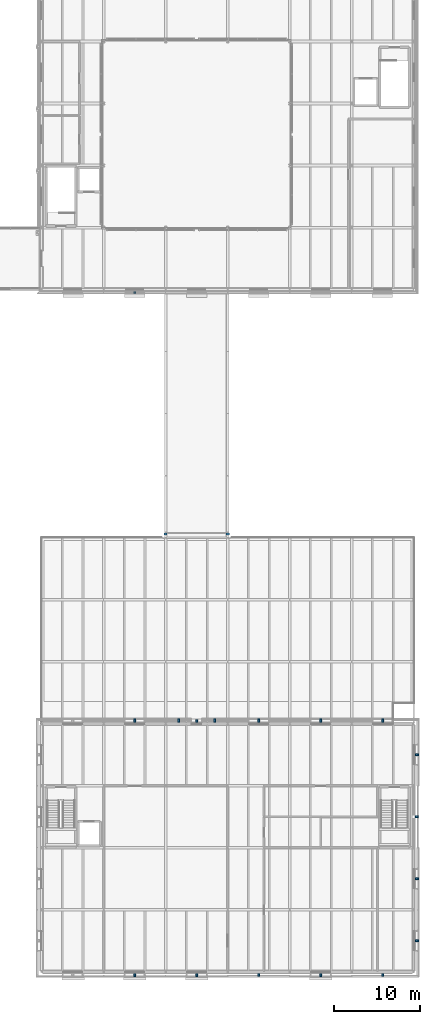
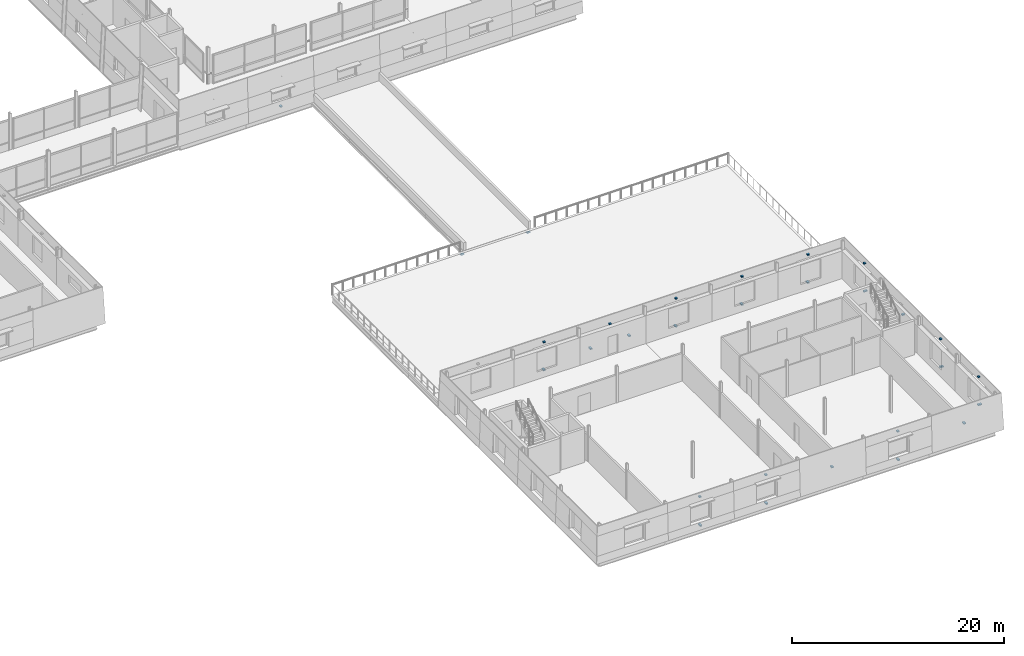
# One storey, part 88 of 115: 29 discrete accessories.
"""IFC4 building model written with IfcOpenShell, lengths in metres."""

from ifc_helpers import new_model, si_unit, direction, frame, origin, origin_2d, place, context, subcontext, project, spatial, rectangle, extrude, material, layer, layer_set, type_object, element, save


model = new_model("IFC4")

# Units and contexts
model_context = context("Model", 3, precision=1e-05, world=origin(), true_north=direction((0.0, 1.0)))
body_context = subcontext(model_context, "Body", "Model", "MODEL_VIEW")
ifc_project = project(units=[si_unit("LENGTHUNIT", "METRE"), si_unit("AREAUNIT", "SQUARE_METRE"), si_unit("VOLUMEUNIT", "CUBIC_METRE"), si_unit("PLANEANGLEUNIT", "RADIAN"), si_unit("MASSUNIT", "GRAM", prefix="KILO")], contexts=[model_context])

# Site, building, storey
site_placement = place(None, origin())
site = spatial("IfcSite", under=ifc_project, at=site_placement, CompositionType="ELEMENT")
building_placement = place(site_placement, origin())
building = spatial("IfcBuilding", under=site, at=building_placement, Name="Narikvali Park Central Library", CompositionType="ELEMENT")
storey_placement = place(building_placement, frame((0.0, 0.0, 10.199951171875)))
storey = spatial("IfcBuildingStorey", under=building, at=storey_placement, Name="L02", CompositionType="ELEMENT", Elevation=10.199951171875)

# Discrete accessories
ifc_material = material(Name="Brushed Stainless Steel S355", Category="steel")
ifc_layer_1 = layer(ifc_material, 0.139892578125, Name="Brushed Stainless Steel S355")
ifc_layer_set_1 = layer_set([ifc_layer_1], Name="Brushed Stainless Steel S355")
discrete_accessory_type_1 = type_object("IfcDiscreteAccessoryType", Name="Cladding Stainless Tie-Back Corbel Bracket", PredefinedType="BRACKET", material=ifc_layer_set_1)
discrete_accessory_1_placement = place(storey_placement, frame((133.199951171875, 78.87841796875, 0.60498046875), z_axis=(0.0, 0.0, 1.0), x_axis=(1.0, 0.0, 0.0)))
element("IfcDiscreteAccessory", 1, at=discrete_accessory_1_placement, inside=storey, type_object=discrete_accessory_type_1, Name="Limestone Cladding Tie-Back Bracket V3-CLD-L02-S-B02-SP", PredefinedType="BRACKET", context=body_context, shape_type="SweptSolid", body=[
    extrude(rectangle(XDim=0.219970703125, YDim=0.26318359375, at=origin_2d()), origin(), (0.0, 0.0, 1.0), 0.139892578125),
])
discrete_accessory_2_placement = place(storey_placement, frame((133.199951171875, -0.387451171875, 0.365234375), z_axis=(0.0, 0.0, 1.0), x_axis=(1.0, 0.0, 0.0)))
element("IfcDiscreteAccessory", 2, at=discrete_accessory_2_placement, inside=storey, type_object=discrete_accessory_type_1, Name="Limestone Cladding Tie-Back Bracket V6-CLD-L02-S-B02-SP", PredefinedType="BRACKET", context=body_context, shape_type="SweptSolid", body=[
    extrude(rectangle(XDim=0.219970703125, YDim=0.394775390625, at=origin_2d()), origin(), (0.0, 0.0, 1.0), 0.139892578125),
])
discrete_accessory_3_placement = place(storey_placement, frame((133.199951171875, -0.3212890625, 3.59033203125), z_axis=(0.0, 0.0, 1.0), x_axis=(1.0, 0.0, 0.0)))
element("IfcDiscreteAccessory", 3, at=discrete_accessory_3_placement, inside=storey, type_object=discrete_accessory_type_1, Name="Limestone Cladding Tie-Back Bracket V6-CLD-L02-S-B02-LN", PredefinedType="BRACKET", context=body_context, shape_type="SweptSolid", body=[
    extrude(rectangle(XDim=0.219970703125, YDim=0.2626953125, at=origin_2d()), origin(), (0.0, 0.0, 1.0), 0.139892578125),
])
discrete_accessory_4_placement = place(storey_placement, frame((140.39990234375, -0.387451171875, 0.365234375), z_axis=(0.0, 0.0, 1.0), x_axis=(1.0, 0.0, 0.0)))
element("IfcDiscreteAccessory", 4, at=discrete_accessory_4_placement, inside=storey, type_object=discrete_accessory_type_1, Name="Limestone Cladding Tie-Back Bracket V6-CLD-L02-S-B03-SP", PredefinedType="BRACKET", context=body_context, shape_type="SweptSolid", body=[
    extrude(rectangle(XDim=0.219970703125, YDim=0.394775390625, at=origin_2d()), origin(), (0.0, 0.0, 1.0), 0.139892578125),
])
discrete_accessory_5_placement = place(storey_placement, frame((140.39990234375, -0.3212890625, 3.59033203125), z_axis=(0.0, 0.0, 1.0), x_axis=(1.0, 0.0, 0.0)))
element("IfcDiscreteAccessory", 5, at=discrete_accessory_5_placement, inside=storey, type_object=discrete_accessory_type_1, Name="Limestone Cladding Tie-Back Bracket V6-CLD-L02-S-B03-LN", PredefinedType="BRACKET", context=body_context, shape_type="SweptSolid", body=[
    extrude(rectangle(XDim=0.219970703125, YDim=0.2626953125, at=origin_2d()), origin(), (0.0, 0.0, 1.0), 0.139892578125),
])
discrete_accessory_6_placement = place(storey_placement, frame((147.60009765625, -0.353271484375, 2.0302734375), z_axis=(0.0, 0.0, 1.0), x_axis=(1.0, 0.0, 0.0)))
element("IfcDiscreteAccessory", 6, at=discrete_accessory_6_placement, inside=storey, type_object=discrete_accessory_type_1, Name="Limestone Cladding Tie-Back Bracket V6-CLD-L02-S-B04-FULL", PredefinedType="BRACKET", context=body_context, shape_type="SweptSolid", body=[
    extrude(rectangle(XDim=0.219970703125, YDim=0.32666015625, at=origin_2d()), origin(), (0.0, 0.0, 1.0), 0.139892578125),
])
discrete_accessory_7_placement = place(storey_placement, frame((154.800048828125, -0.387451171875, 0.365234375), z_axis=(0.0, 0.0, 1.0), x_axis=(1.0, 0.0, 0.0)))
element("IfcDiscreteAccessory", 7, at=discrete_accessory_7_placement, inside=storey, type_object=discrete_accessory_type_1, Name="Limestone Cladding Tie-Back Bracket V6-CLD-L02-S-B05-SP", PredefinedType="BRACKET", context=body_context, shape_type="SweptSolid", body=[
    extrude(rectangle(XDim=0.219970703125, YDim=0.394775390625, at=origin_2d()), origin(), (0.0, 0.0, 1.0), 0.139892578125),
])
discrete_accessory_8_placement = place(storey_placement, frame((154.800048828125, -0.3212890625, 3.59033203125), z_axis=(0.0, 0.0, 1.0), x_axis=(1.0, 0.0, 0.0)))
element("IfcDiscreteAccessory", 8, at=discrete_accessory_8_placement, inside=storey, type_object=discrete_accessory_type_1, Name="Limestone Cladding Tie-Back Bracket V6-CLD-L02-S-B05-LN", PredefinedType="BRACKET", context=body_context, shape_type="SweptSolid", body=[
    extrude(rectangle(XDim=0.219970703125, YDim=0.2626953125, at=origin_2d()), origin(), (0.0, 0.0, 1.0), 0.139892578125),
])
discrete_accessory_9_placement = place(storey_placement, frame((162.0, -0.353271484375, 2.0302734375), z_axis=(0.0, 0.0, 1.0), x_axis=(1.0, 0.0, 0.0)))
element("IfcDiscreteAccessory", 9, at=discrete_accessory_9_placement, inside=storey, type_object=discrete_accessory_type_1, Name="Limestone Cladding Tie-Back Bracket V6-CLD-L02-S-B06-FULL", PredefinedType="BRACKET", context=body_context, shape_type="SweptSolid", body=[
    extrude(rectangle(XDim=0.219970703125, YDim=0.32666015625, at=origin_2d()), origin(), (0.0, 0.0, 1.0), 0.139892578125),
])
discrete_accessory_10_placement = place(storey_placement, frame((165.9873046875, 3.60009765625, 0.365234375), z_axis=(0.0, 0.0, 1.0), x_axis=(1.0, 0.0, 0.0)))
element("IfcDiscreteAccessory", 10, at=discrete_accessory_10_placement, inside=storey, type_object=discrete_accessory_type_1, Name="Limestone Cladding Tie-Back Bracket V6-CLD-L02-E-B01-SP", PredefinedType="BRACKET", context=body_context, shape_type="SweptSolid", body=[
    extrude(rectangle(XDim=0.394775390625, YDim=0.219970703125, at=origin_2d()), origin(), (0.0, 0.0, 1.0), 0.139892578125),
])
discrete_accessory_11_placement = place(storey_placement, frame((165.92138671875, 3.60009765625, 3.59033203125), z_axis=(0.0, 0.0, 1.0), x_axis=(1.0, 0.0, 0.0)))
element("IfcDiscreteAccessory", 11, at=discrete_accessory_11_placement, inside=storey, type_object=discrete_accessory_type_1, Name="Limestone Cladding Tie-Back Bracket V6-CLD-L02-E-B01-LN", PredefinedType="BRACKET", context=body_context, shape_type="SweptSolid", body=[
    extrude(rectangle(XDim=0.2626953125, YDim=0.219970703125, at=origin_2d()), origin(), (0.0, 0.0, 1.0), 0.139892578125),
])
discrete_accessory_12_placement = place(storey_placement, frame((165.9873046875, 10.800048828125, 0.365234375), z_axis=(0.0, 0.0, 1.0), x_axis=(1.0, 0.0, 0.0)))
element("IfcDiscreteAccessory", 12, at=discrete_accessory_12_placement, inside=storey, type_object=discrete_accessory_type_1, Name="Limestone Cladding Tie-Back Bracket V6-CLD-L02-E-B02-SP", PredefinedType="BRACKET", context=body_context, shape_type="SweptSolid", body=[
    extrude(rectangle(XDim=0.394775390625, YDim=0.219970703125, at=origin_2d()), origin(), (0.0, 0.0, 1.0), 0.139892578125),
])
discrete_accessory_13_placement = place(storey_placement, frame((165.92138671875, 10.800048828125, 3.59033203125), z_axis=(0.0, 0.0, 1.0), x_axis=(1.0, 0.0, 0.0)))
element("IfcDiscreteAccessory", 13, at=discrete_accessory_13_placement, inside=storey, type_object=discrete_accessory_type_1, Name="Limestone Cladding Tie-Back Bracket V6-CLD-L02-E-B02-LN", PredefinedType="BRACKET", context=body_context, shape_type="SweptSolid", body=[
    extrude(rectangle(XDim=0.2626953125, YDim=0.219970703125, at=origin_2d()), origin(), (0.0, 0.0, 1.0), 0.139892578125),
])
discrete_accessory_14_placement = place(storey_placement, frame((165.953369140625, 18.0, 2.0302734375), z_axis=(0.0, 0.0, 1.0), x_axis=(1.0, 0.0, 0.0)))
element("IfcDiscreteAccessory", 14, at=discrete_accessory_14_placement, inside=storey, type_object=discrete_accessory_type_1, Name="Limestone Cladding Tie-Back Bracket V6-CLD-L02-E-B03-FULL", PredefinedType="BRACKET", context=body_context, shape_type="SweptSolid", body=[
    extrude(rectangle(XDim=0.32666015625, YDim=0.219970703125, at=origin_2d()), origin(), (0.0, 0.0, 1.0), 0.139892578125),
])
discrete_accessory_15_placement = place(storey_placement, frame((165.9873046875, 25.199951171875, 0.365234375), z_axis=(0.0, 0.0, 1.0), x_axis=(1.0, 0.0, 0.0)))
element("IfcDiscreteAccessory", 15, at=discrete_accessory_15_placement, inside=storey, type_object=discrete_accessory_type_1, Name="Limestone Cladding Tie-Back Bracket V6-CLD-L02-E-B04-SP", PredefinedType="BRACKET", context=body_context, shape_type="SweptSolid", body=[
    extrude(rectangle(XDim=0.394775390625, YDim=0.219970703125, at=origin_2d()), origin(), (0.0, 0.0, 1.0), 0.139892578125),
])
discrete_accessory_16_placement = place(storey_placement, frame((165.92138671875, 25.199951171875, 3.59033203125), z_axis=(0.0, 0.0, 1.0), x_axis=(1.0, 0.0, 0.0)))
element("IfcDiscreteAccessory", 16, at=discrete_accessory_16_placement, inside=storey, type_object=discrete_accessory_type_1, Name="Limestone Cladding Tie-Back Bracket V6-CLD-L02-E-B04-LN", PredefinedType="BRACKET", context=body_context, shape_type="SweptSolid", body=[
    extrude(rectangle(XDim=0.2626953125, YDim=0.219970703125, at=origin_2d()), origin(), (0.0, 0.0, 1.0), 0.139892578125),
])
discrete_accessory_17_placement = place(storey_placement, frame((162.0, 29.1875, 0.365234375), z_axis=(0.0, 0.0, 1.0), x_axis=(1.0, 0.0, 0.0)))
element("IfcDiscreteAccessory", 17, at=discrete_accessory_17_placement, inside=storey, type_object=discrete_accessory_type_1, Name="Limestone Cladding Tie-Back Bracket V6-CLD-L02-N-B01-SP", PredefinedType="BRACKET", context=body_context, shape_type="SweptSolid", body=[
    extrude(rectangle(XDim=0.219970703125, YDim=0.394775390625, at=origin_2d()), origin(), (0.0, 0.0, 1.0), 0.139892578125),
])
discrete_accessory_18_placement = place(storey_placement, frame((162.0, 29.121337890625, 3.59033203125), z_axis=(0.0, 0.0, 1.0), x_axis=(1.0, 0.0, 0.0)))
element("IfcDiscreteAccessory", 18, at=discrete_accessory_18_placement, inside=storey, type_object=discrete_accessory_type_1, Name="Limestone Cladding Tie-Back Bracket V6-CLD-L02-N-B01-LN", PredefinedType="BRACKET", context=body_context, shape_type="SweptSolid", body=[
    extrude(rectangle(XDim=0.219970703125, YDim=0.2626953125, at=origin_2d()), origin(), (0.0, 0.0, 1.0), 0.139892578125),
])
discrete_accessory_19_placement = place(storey_placement, frame((154.800048828125, 29.1875, 0.365234375), z_axis=(0.0, 0.0, 1.0), x_axis=(1.0, 0.0, 0.0)))
element("IfcDiscreteAccessory", 19, at=discrete_accessory_19_placement, inside=storey, type_object=discrete_accessory_type_1, Name="Limestone Cladding Tie-Back Bracket V6-CLD-L02-N-B02-SP", PredefinedType="BRACKET", context=body_context, shape_type="SweptSolid", body=[
    extrude(rectangle(XDim=0.219970703125, YDim=0.394775390625, at=origin_2d()), origin(), (0.0, 0.0, 1.0), 0.139892578125),
])
discrete_accessory_20_placement = place(storey_placement, frame((154.800048828125, 29.121337890625, 3.59033203125), z_axis=(0.0, 0.0, 1.0), x_axis=(1.0, 0.0, 0.0)))
element("IfcDiscreteAccessory", 20, at=discrete_accessory_20_placement, inside=storey, type_object=discrete_accessory_type_1, Name="Limestone Cladding Tie-Back Bracket V6-CLD-L02-N-B02-LN", PredefinedType="BRACKET", context=body_context, shape_type="SweptSolid", body=[
    extrude(rectangle(XDim=0.219970703125, YDim=0.2626953125, at=origin_2d()), origin(), (0.0, 0.0, 1.0), 0.139892578125),
])
discrete_accessory_21_placement = place(storey_placement, frame((147.60009765625, 29.1875, 0.365234375), z_axis=(0.0, 0.0, 1.0), x_axis=(1.0, 0.0, 0.0)))
element("IfcDiscreteAccessory", 21, at=discrete_accessory_21_placement, inside=storey, type_object=discrete_accessory_type_1, Name="Limestone Cladding Tie-Back Bracket V6-CLD-L02-N-B03-SP", PredefinedType="BRACKET", context=body_context, shape_type="SweptSolid", body=[
    extrude(rectangle(XDim=0.219970703125, YDim=0.394775390625, at=origin_2d()), origin(), (0.0, 0.0, 1.0), 0.139892578125),
])
discrete_accessory_22_placement = place(storey_placement, frame((147.60009765625, 29.121337890625, 3.59033203125), z_axis=(0.0, 0.0, 1.0), x_axis=(1.0, 0.0, 0.0)))
element("IfcDiscreteAccessory", 22, at=discrete_accessory_22_placement, inside=storey, type_object=discrete_accessory_type_1, Name="Limestone Cladding Tie-Back Bracket V6-CLD-L02-N-B03-LN", PredefinedType="BRACKET", context=body_context, shape_type="SweptSolid", body=[
    extrude(rectangle(XDim=0.219970703125, YDim=0.2626953125, at=origin_2d()), origin(), (0.0, 0.0, 1.0), 0.139892578125),
])
for number, where, z_axis, x_axis, name in (
    (23, (142.5048828125, 29.17333984375, 1.05029296875), (0.0, 0.0, 1.0), (1.0, 0.0, 0.0), "Limestone Cladding Tie-Back Bracket V6-CLD-L02-N-B04-DL"),
    (24, (138.294921875, 29.17333984375, 1.05029296875), (0.0, 0.0, 1.0), (1.0, 0.0, 0.0), "Limestone Cladding Tie-Back Bracket V6-CLD-L02-N-B04-DR"),
):
    element("IfcDiscreteAccessory", number, at=place(storey_placement, frame(where, z_axis=z_axis, x_axis=x_axis)), inside=storey, type_object=discrete_accessory_type_1, Name=name, PredefinedType="BRACKET", context=body_context, shape_type="SweptSolid", body=[
        extrude(rectangle(XDim=0.219970703125, YDim=0.36669921875, at=origin_2d()), origin(), (0.0, 0.0, 1.0), 0.139892578125),
    ])
discrete_accessory_23_placement = place(storey_placement, frame((140.39990234375, 29.13037109375, 3.14990234375), z_axis=(0.0, 0.0, 1.0), x_axis=(1.0, 0.0, 0.0)))
element("IfcDiscreteAccessory", 25, at=discrete_accessory_23_placement, inside=storey, type_object=discrete_accessory_type_1, Name="Limestone Cladding Tie-Back Bracket V6-CLD-L02-N-B04-DH", PredefinedType="BRACKET", context=body_context, shape_type="SweptSolid", body=[
    extrude(rectangle(XDim=0.219970703125, YDim=0.28076171875, at=origin_2d()), origin(), (0.0, 0.0, 1.0), 0.139892578125),
])
discrete_accessory_24_placement = place(storey_placement, frame((133.199951171875, 29.1875, 0.365234375), z_axis=(0.0, 0.0, 1.0), x_axis=(1.0, 0.0, 0.0)))
element("IfcDiscreteAccessory", 26, at=discrete_accessory_24_placement, inside=storey, type_object=discrete_accessory_type_1, Name="Limestone Cladding Tie-Back Bracket V6-CLD-L02-N-B05-SP", PredefinedType="BRACKET", context=body_context, shape_type="SweptSolid", body=[
    extrude(rectangle(XDim=0.219970703125, YDim=0.394775390625, at=origin_2d()), origin(), (0.0, 0.0, 1.0), 0.139892578125),
])
discrete_accessory_25_placement = place(storey_placement, frame((133.199951171875, 29.121337890625, 3.59033203125), z_axis=(0.0, 0.0, 1.0), x_axis=(1.0, 0.0, 0.0)))
element("IfcDiscreteAccessory", 27, at=discrete_accessory_25_placement, inside=storey, type_object=discrete_accessory_type_1, Name="Limestone Cladding Tie-Back Bracket V6-CLD-L02-N-B05-LN", PredefinedType="BRACKET", context=body_context, shape_type="SweptSolid", body=[
    extrude(rectangle(XDim=0.219970703125, YDim=0.2626953125, at=origin_2d()), origin(), (0.0, 0.0, 1.0), 0.139892578125),
])
ifc_layer_2 = layer(ifc_material, 0.080078125, Name="Brushed Stainless Steel S355")
ifc_layer_set_2 = layer_set([ifc_layer_2], Name="Brushed Stainless Steel S355")
discrete_accessory_type_2 = type_object("IfcDiscreteAccessoryType", Name="Unguided PTFE Sliding Bridge Bearing", PredefinedType="BRACKET", material=ifc_layer_set_2)
for number, where, z_axis, x_axis, name in (
    (28, (136.800048828125, 50.830078125, -0.679931640625), (0.0, 0.0, 1.0), (1.0, 0.0, 0.0), "BRG-4 L02 Unguided PTFE Sliding Bearing 1"),
    (29, (144.0, 50.830078125, -0.679931640625), (0.0, 0.0, 1.0), (1.0, 0.0, 0.0), "BRG-4 L02 Unguided PTFE Sliding Bearing 2"),
):
    element("IfcDiscreteAccessory", number, at=place(storey_placement, frame(where, z_axis=z_axis, x_axis=x_axis)), inside=storey, type_object=discrete_accessory_type_2, Name=name, PredefinedType="BRACKET", context=body_context, shape_type="SweptSolid", body=[
        extrude(rectangle(XDim=0.360107421875, YDim=0.239990234375, at=origin_2d()), origin(), (0.0, 0.0, 1.0), 0.080078125),
    ])

save(model, "model.ifc")
